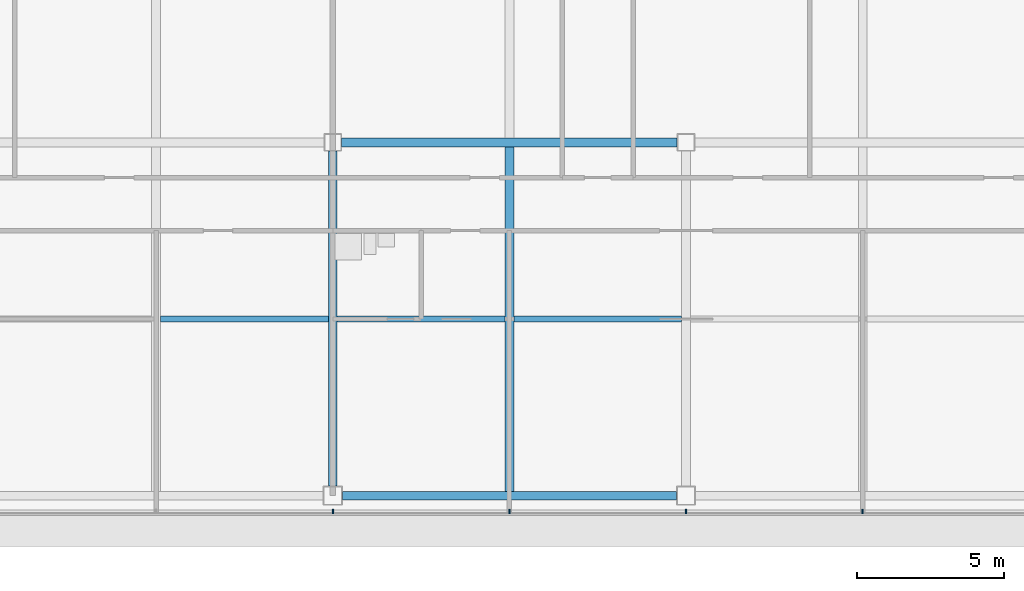
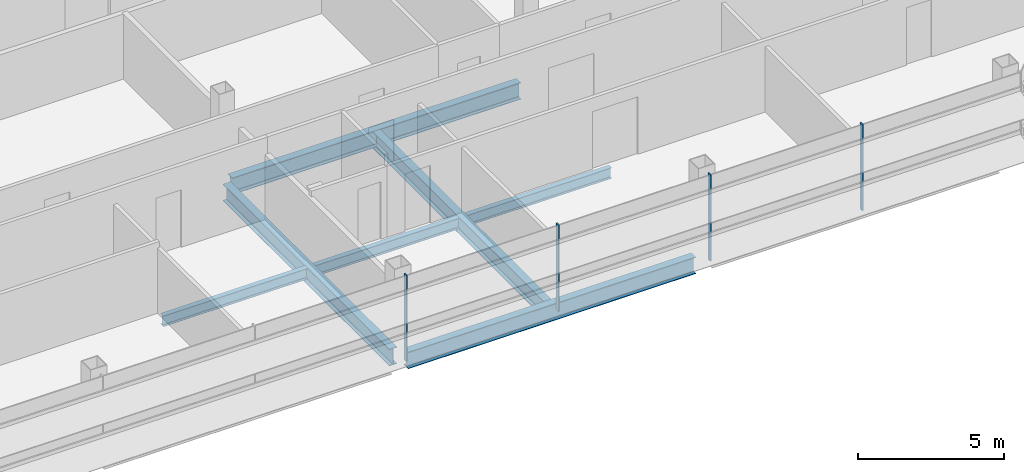
# One storey, part 8 of 26: 7 beams, 4 members, 1 element without a shape of its own.
"""IFC4 building model written with IfcOpenShell, lengths in metres."""

from ifc_helpers import new_model, si_unit, direction, frame, origin, origin_2d, place, context, subcontext, project, spatial, rectangle, i_section, extrude, material, material_profile, profile_set, type_object, element, aggregate, save


model = new_model("IFC4")

# Units and contexts
model_context = context("Model", 3, precision=1e-05, world=origin(), true_north=direction((0.0, 1.0)))
body_context = subcontext(model_context, "Body", "Model", "MODEL_VIEW")
ifc_project = project(units=[si_unit("LENGTHUNIT", "METRE"), si_unit("AREAUNIT", "SQUARE_METRE"), si_unit("VOLUMEUNIT", "CUBIC_METRE"), si_unit("PLANEANGLEUNIT", "RADIAN"), si_unit("MASSUNIT", "GRAM", prefix="KILO")], contexts=[model_context])

# Site, building, storey
site_placement = place(None, origin())
site = spatial("IfcSite", under=ifc_project, at=site_placement, CompositionType="ELEMENT")
building_placement = place(site_placement, origin())
building = spatial("IfcBuilding", under=site, at=building_placement, Name="Sorahane Residences", CompositionType="ELEMENT")
storey_placement = place(building_placement, frame((0.0, 0.0, 222.60009765625)))
storey = spatial("IfcBuildingStorey", under=building, at=storey_placement, Name="L52", CompositionType="ELEMENT", Elevation=222.60009765625)

# Curtain wall, members
ifc_material_1 = material(Name="Dark low-e glass and black anodised aluminium", Category="aluminium")
curtain_wall_type = type_object("IfcCurtainWallType", Name="Curtain wall CW-1 Typical unitised wall", PredefinedType="NOTDEFINED", material=ifc_material_1)
curtain_wall_placement = place(storey_placement, origin())
curtain_wall = element("IfcCurtainWall", 1, at=curtain_wall_placement, inside=storey, type_object=curtain_wall_type, Name="CW-1 curtain wall L52 S1", PredefinedType="NOTDEFINED")
ifc_material_2 = material(Name="Black anodised aluminium", Category="aluminium")
ifc_material_profile_1 = material_profile(ifc_material_2, rectangle(XDim=0.159912109375, YDim=0.050048828125, at=origin_2d()), Name="Curtain wall mullion CW-1 black anodised aluminium 50x160")
ifc_profile_set_1 = profile_set([ifc_material_profile_1], Name="Black anodised aluminium")
member_type = type_object("IfcMemberType", Name="Curtain wall mullion CW-1 black anodised aluminium 50x160", PredefinedType="MULLION", material=ifc_profile_set_1)
member_1_placement = place(storey_placement, frame((24.0, -0.5400390625, -0.18017578125), z_axis=(0.0, 0.0, 1.0), x_axis=(0.0, -1.0, 0.0)))
member_1 = element("IfcMember", 2, at=member_1_placement, type_object=member_type, Name="CW-1 mullion L52 S1.6", PredefinedType="MULLION", context=body_context, shape_type="SweptSolid", body=[
    extrude(rectangle(XDim=0.159912109375, YDim=0.050048828125, at=origin_2d()), origin(), (0.0, 0.0, 1.0), 3.60009765625),
])
member_2_placement = place(storey_placement, frame((30.0, -0.5400390625, -0.18017578125), z_axis=(0.0, 0.0, 1.0), x_axis=(0.0, -1.0, 0.0)))
member_2 = element("IfcMember", 3, at=member_2_placement, type_object=member_type, Name="CW-1 mullion L52 S1.7", PredefinedType="MULLION", context=body_context, shape_type="SweptSolid", body=[
    extrude(rectangle(XDim=0.159912109375, YDim=0.050048828125, at=origin_2d()), origin(), (0.0, 0.0, 1.0), 3.60009765625),
])
member_3_placement = place(storey_placement, frame((36.0, -0.5400390625, -0.18017578125), z_axis=(0.0, 0.0, 1.0), x_axis=(0.0, -1.0, 0.0)))
member_3 = element("IfcMember", 4, at=member_3_placement, type_object=member_type, Name="CW-1 mullion L52 S1.8", PredefinedType="MULLION", context=body_context, shape_type="SweptSolid", body=[
    extrude(rectangle(XDim=0.159912109375, YDim=0.050048828125, at=origin_2d()), origin(), (0.0, 0.0, 1.0), 3.60009765625),
])
member_4_placement = place(storey_placement, frame((42.0, -0.5400390625, -0.18017578125), z_axis=(0.0, 0.0, 1.0), x_axis=(0.0, -1.0, 0.0)))
member_4 = element("IfcMember", 5, at=member_4_placement, type_object=member_type, Name="CW-1 mullion L52 S1.9", PredefinedType="MULLION", context=body_context, shape_type="SweptSolid", body=[
    extrude(rectangle(XDim=0.159912109375, YDim=0.050048828125, at=origin_2d()), origin(), (0.0, 0.0, 1.0), 3.60009765625),
])
aggregate(curtain_wall, [member_1, member_2, member_3, member_4])

# Beams
ifc_material_3 = material(Name="Steel Q355B", Category="steel")
ifc_material_profile_2 = material_profile(ifc_material_3, i_section(OverallWidth=0.199951171875, OverallDepth=0.449951171875, WebThickness=0.009033203125, FlangeThickness=0.013916015625, FilletRadius=0.02001953125, at=origin_2d()), Name="HN 450x200x9x14")
ifc_profile_set_2 = profile_set([ifc_material_profile_2], Name="Steel Q355B")
beam_type_1 = type_object("IfcBeamType", Name="Steel floor beam HN 450x200x9x14 Q355B", PredefinedType="BEAM", material=ifc_profile_set_2)
for number, where, z_axis, x_axis, name in (
    (6, (18.14990234375, 6.0, -0.405029296875), (1.0, 0.0, 0.0), (0.0, 1.0, 0.0), "Beam L52 072"),
    (7, (24.14990234375, 6.0, -0.405029296875), (1.0, 0.0, 0.0), (0.0, 1.0, 0.0), "Beam L52 073"),
    (8, (30.14990234375, 6.0, -0.405029296875), (1.0, 0.0, 0.0), (0.0, 1.0, 0.0), "Beam L52 074"),
):
    element("IfcBeam", number, at=place(storey_placement, frame(where, z_axis=z_axis, x_axis=x_axis)), inside=storey, type_object=beam_type_1, Name=name, PredefinedType="BEAM", context=body_context, shape_type="SweptSolid", body=[
        extrude(i_section(OverallWidth=0.199951171875, OverallDepth=0.449951171875, WebThickness=0.009033203125, FlangeThickness=0.013916015625, FilletRadius=0.02001953125, at=origin_2d()), origin(), (0.0, 0.0, 1.0), 5.7001953125),
    ])
ifc_material_4 = material(Name="Steel Q355B", Category="steel")
ifc_material_profile_3 = material_profile(ifc_material_4, i_section(OverallWidth=0.300048828125, OverallDepth=0.699951171875, WebThickness=0.012939453125, FlangeThickness=0.02392578125, FilletRadius=0.028076171875, at=origin_2d()), Name="HN 700x300x13x24")
ifc_profile_set_3 = profile_set([ifc_material_profile_3], Name="Steel Q355B")
beam_type_2 = type_object("IfcBeamType", Name="Steel floor beam HN 700x300x13x24 Q355B", PredefinedType="BEAM", material=ifc_profile_set_3)
beam_1_placement = place(storey_placement, frame((24.324951171875, 0.0, -0.530029296875), z_axis=(1.0, 0.0, 0.0), x_axis=(0.0, 1.0, 0.0)))
element("IfcBeam", 9, at=beam_1_placement, inside=storey, type_object=beam_type_2, Name="Beam L52 003", PredefinedType="BEAM", context=body_context, shape_type="SweptSolid", body=[
    extrude(i_section(OverallWidth=0.300048828125, OverallDepth=0.699951171875, WebThickness=0.012939453125, FlangeThickness=0.02392578125, FilletRadius=0.028076171875, at=origin_2d()), origin(), (0.0, 0.0, 1.0), 11.35009765625),
])
beam_2_placement = place(storey_placement, frame((24.300048828125, 12.0, -0.530029296875), z_axis=(1.0, 0.0, 0.0), x_axis=(0.0, 1.0, 0.0)))
element("IfcBeam", 10, at=beam_2_placement, inside=storey, type_object=beam_type_2, Name="Beam L52 008", PredefinedType="BEAM", context=body_context, shape_type="SweptSolid", body=[
    extrude(i_section(OverallWidth=0.300048828125, OverallDepth=0.699951171875, WebThickness=0.012939453125, FlangeThickness=0.02392578125, FilletRadius=0.028076171875, at=origin_2d()), origin(), (0.0, 0.0, 1.0), 11.39990234375),
])
beam_3_placement = place(storey_placement, frame((24.0, 0.324951171875, -0.530029296875), z_axis=(0.0, 1.0, 0.0), x_axis=(-1.0, 0.0, 0.0)))
element("IfcBeam", 11, at=beam_3_placement, inside=storey, type_object=beam_type_2, Name="Beam L52 042", PredefinedType="BEAM", context=body_context, shape_type="SweptSolid", body=[
    extrude(i_section(OverallWidth=0.300048828125, OverallDepth=0.699951171875, WebThickness=0.012939453125, FlangeThickness=0.02392578125, FilletRadius=0.028076171875, at=origin_2d()), origin(), (0.0, 0.0, 1.0), 11.375),
])
beam_4_placement = place(storey_placement, frame((30.0, 0.14990234375, -0.530029296875), z_axis=(0.0, 1.0, 0.0), x_axis=(-1.0, 0.0, 0.0)))
element("IfcBeam", 12, at=beam_4_placement, inside=storey, type_object=beam_type_2, Name="Beam L52 044", PredefinedType="BEAM", context=body_context, shape_type="SweptSolid", body=[
    extrude(i_section(OverallWidth=0.300048828125, OverallDepth=0.699951171875, WebThickness=0.012939453125, FlangeThickness=0.02392578125, FilletRadius=0.028076171875, at=origin_2d()), origin(), (0.0, 0.0, 1.0), 11.7001953125),
])

save(model, "model.ifc")
